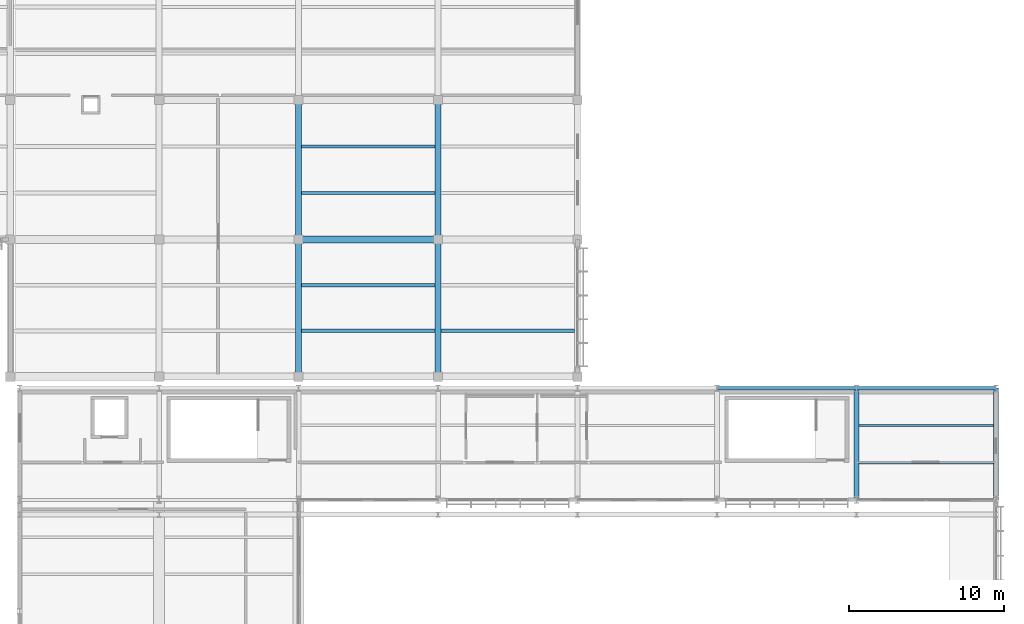
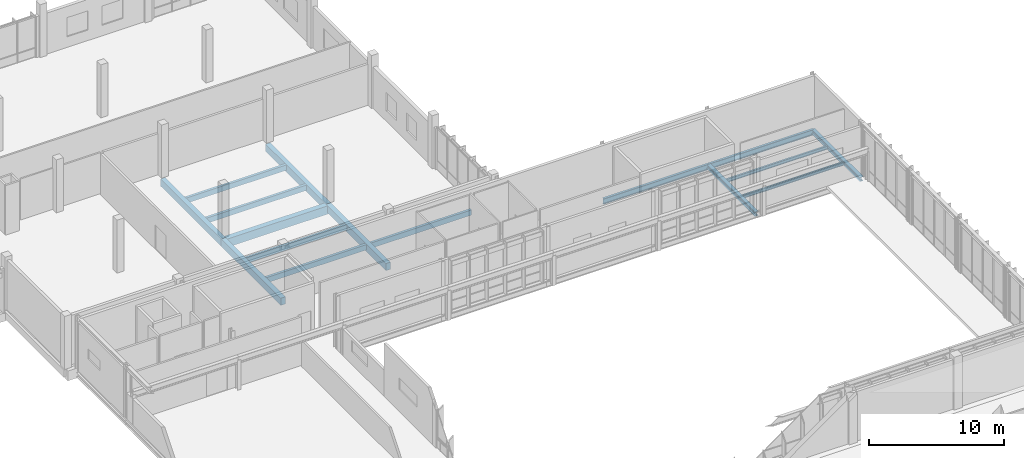
# One storey, part 114 of 177: 16 beams.
"""IFC4 building model written with IfcOpenShell, lengths in metres."""

from ifc_helpers import new_model, si_unit, direction, frame, origin, origin_2d, place, context, subcontext, project, spatial, rectangle, i_section, extrude, material, material_profile, profile_set, type_object, element, save


model = new_model("IFC4")

# Units and contexts
model_context = context("Model", 3, precision=1e-05, world=origin(), true_north=direction((0.0, 1.0)))
body_context = subcontext(model_context, "Body", "Model", "MODEL_VIEW")
ifc_project = project(units=[si_unit("LENGTHUNIT", "METRE"), si_unit("AREAUNIT", "SQUARE_METRE"), si_unit("VOLUMEUNIT", "CUBIC_METRE"), si_unit("PLANEANGLEUNIT", "RADIAN"), si_unit("MASSUNIT", "GRAM", prefix="KILO")], contexts=[model_context])

# Site, building, storey
site_placement = place(None, origin())
site = spatial("IfcSite", under=ifc_project, at=site_placement, CompositionType="ELEMENT")
building_placement = place(site_placement, origin())
building = spatial("IfcBuilding", under=site, at=building_placement, Name="Chiffa Square Polytechnic", CompositionType="ELEMENT")
storey_placement = place(building_placement, frame((0.0, 0.0, 4.800048828125)))
storey = spatial("IfcBuildingStorey", under=building, at=storey_placement, Name="L01", CompositionType="ELEMENT", Elevation=4.800048828125)

# Beams
ifc_material_1 = material(Name="Concrete C35/45", Category="concrete")
ifc_material_profile_1 = material_profile(ifc_material_1, rectangle(XDim=0.39990234375, YDim=0.64990234375, at=origin_2d()), Name="RC 400x650")
ifc_profile_set_1 = profile_set([ifc_material_profile_1], Name="Concrete C35/45")
beam_type_1 = type_object("IfcBeamType", Name="BM-RC-400X650", PredefinedType="BEAM", material=ifc_profile_set_1)
beam_1_placement = place(storey_placement, frame((130.199951171875, 94.949951171875, -0.60498046875), z_axis=(0.0, 1.0, 0.0), x_axis=(-1.0, 0.0, 0.0)))
element("IfcBeam", 1, at=beam_1_placement, inside=storey, type_object=beam_type_1, Name="Primary floor girder BM-V5-L01-Y-1302-0950", PredefinedType="BEAM", context=body_context, shape_type="SweptSolid", body=[
    extrude(rectangle(XDim=0.39990234375, YDim=0.64990234375, at=origin_2d()), origin(), (0.0, 0.0, 1.0), 8.85009765625),
])
beam_2_placement = place(storey_placement, frame((130.199951171875, 103.800048828125, -0.60498046875), z_axis=(0.0, 1.0, 0.0), x_axis=(-1.0, 0.0, 0.0)))
element("IfcBeam", 2, at=beam_2_placement, inside=storey, type_object=beam_type_1, Name="Primary floor girder BM-V5-L01-Y-1302-1038", PredefinedType="BEAM", context=body_context, shape_type="SweptSolid", body=[
    extrude(rectangle(XDim=0.39990234375, YDim=0.64990234375, at=origin_2d()), origin(), (0.0, 0.0, 1.0), 9.0),
])
beam_3_placement = place(storey_placement, frame((139.199951171875, 94.949951171875, -0.60498046875), z_axis=(0.0, 1.0, 0.0), x_axis=(-1.0, 0.0, 0.0)))
element("IfcBeam", 3, at=beam_3_placement, inside=storey, type_object=beam_type_1, Name="Primary floor girder BM-V5-L01-Y-1392-0950", PredefinedType="BEAM", context=body_context, shape_type="SweptSolid", body=[
    extrude(rectangle(XDim=0.39990234375, YDim=0.64990234375, at=origin_2d()), origin(), (0.0, 0.0, 1.0), 8.85009765625),
])
beam_4_placement = place(storey_placement, frame((139.199951171875, 103.800048828125, -0.60498046875), z_axis=(0.0, 1.0, 0.0), x_axis=(-1.0, 0.0, 0.0)))
element("IfcBeam", 4, at=beam_4_placement, inside=storey, type_object=beam_type_1, Name="Primary floor girder BM-V5-L01-Y-1392-1038", PredefinedType="BEAM", context=body_context, shape_type="SweptSolid", body=[
    extrude(rectangle(XDim=0.39990234375, YDim=0.64990234375, at=origin_2d()), origin(), (0.0, 0.0, 1.0), 9.0),
])
ifc_material_profile_2 = material_profile(ifc_material_1, rectangle(XDim=0.449951171875, YDim=0.75, at=origin_2d()), Name="RC 450x750")
ifc_profile_set_2 = profile_set([ifc_material_profile_2], Name="Concrete C35/45")
beam_type_2 = type_object("IfcBeamType", Name="BM-RC-450X750", PredefinedType="BEAM", material=ifc_profile_set_2)
beam_5_placement = place(storey_placement, frame((130.199951171875, 103.800048828125, -0.655029296875), z_axis=(1.0, 0.0, 0.0), x_axis=(0.0, 1.0, 0.0)))
element("IfcBeam", 5, at=beam_5_placement, inside=storey, type_object=beam_type_2, Name="Primary floor girder BM-V5-L01-X-1302-1038", PredefinedType="BEAM", context=body_context, shape_type="SweptSolid", body=[
    extrude(rectangle(XDim=0.449951171875, YDim=0.75, at=origin_2d()), origin(), (0.0, 0.0, 1.0), 9.0),
])
ifc_material_2 = material(Name="Steel S355", Category="steel")
ifc_material_profile_3 = material_profile(ifc_material_2, i_section(OverallWidth=0.300048828125, OverallDepth=0.389892578125, WebThickness=0.010986328125, FlangeThickness=0.01904296875, FilletRadius=0.027099609375, at=origin_2d()), Name="HEA 400")
ifc_profile_set_3 = profile_set([ifc_material_profile_3], Name="Steel S355")
beam_type_3 = type_object("IfcBeamType", Name="BM-STL-HEA400", PredefinedType="BEAM", material=ifc_profile_set_3)
for number, where, z_axis, x_axis, name in (
    (6, (166.199951171875, 87.0, -0.47509765625), (0.0, 1.0, 0.0), (-1.0, 0.0, 0.0), "Primary floor girder BM-V2-L01-Y-1662-0870"),
    (7, (175.199951171875, 87.0, -0.47509765625), (0.0, 1.0, 0.0), (-1.0, 0.0, 0.0), "Primary floor girder BM-V2-L01-Y-1752-0870"),
):
    element("IfcBeam", number, at=place(storey_placement, frame(where, z_axis=z_axis, x_axis=x_axis)), inside=storey, type_object=beam_type_3, Name=name, PredefinedType="BEAM", context=body_context, shape_type="SweptSolid", body=[
        extrude(i_section(OverallWidth=0.300048828125, OverallDepth=0.389892578125, WebThickness=0.010986328125, FlangeThickness=0.01904296875, FilletRadius=0.027099609375, at=origin_2d()), origin(), (0.0, 0.0, 1.0), 7.199951171875),
    ])
ifc_material_profile_4 = material_profile(ifc_material_2, i_section(OverallWidth=0.199951171875, OverallDepth=0.5, WebThickness=0.01025390625, FlangeThickness=0.01611328125, FilletRadius=0.02099609375, at=origin_2d()), Name="IPE 500")
ifc_profile_set_4 = profile_set([ifc_material_profile_4], Name="Steel S355")
beam_type_4 = type_object("IfcBeamType", Name="BM-STL-IPE500", PredefinedType="BEAM", material=ifc_profile_set_4)
for number, where, z_axis, x_axis, name in (
    (8, (157.199951171875, 94.199951171875, -0.530029296875), (1.0, 0.0, 0.0), (0.0, 1.0, 0.0), "Primary floor girder BM-V2-L01-X-1572-0942"),
    (9, (166.199951171875, 94.199951171875, -0.530029296875), (1.0, 0.0, 0.0), (0.0, 1.0, 0.0), "Primary floor girder BM-V2-L01-X-1662-0942"),
):
    element("IfcBeam", number, at=place(storey_placement, frame(where, z_axis=z_axis, x_axis=x_axis)), inside=storey, type_object=beam_type_4, Name=name, PredefinedType="BEAM", context=body_context, shape_type="SweptSolid", body=[
        extrude(i_section(OverallWidth=0.199951171875, OverallDepth=0.5, WebThickness=0.01025390625, FlangeThickness=0.01611328125, FilletRadius=0.02099609375, at=origin_2d()), origin(), (0.0, 0.0, 1.0), 9.0),
    ])
ifc_material_3 = material(Name="Glulam GL28h", Category="wood")
ifc_material_profile_5 = material_profile(ifc_material_3, rectangle(XDim=0.219970703125, YDim=0.47998046875, at=origin_2d()), Name="GL28h 220x480")
ifc_profile_set_5 = profile_set([ifc_material_profile_5], Name="Glulam GL28h")
beam_type_5 = type_object("IfcBeamType", Name="JST-GL-220X480", PredefinedType="JOIST", material=ifc_profile_set_5)
for number, where, z_axis, x_axis, name in (
    (10, (130.39794921875, 97.89990234375, -0.52001953125), (1.0, 0.0, 0.0), (0.0, 1.0, 0.0), "Secondary floor joist JST-V5-L01-1302-0979"),
    (11, (130.39794921875, 100.85009765625, -0.52001953125), (1.0, 0.0, 0.0), (0.0, 1.0, 0.0), "Secondary floor joist JST-V5-L01-1302-1008"),
    (12, (130.39794921875, 106.800048828125, -0.52001953125), (1.0, 0.0, 0.0), (0.0, 1.0, 0.0), "Secondary floor joist JST-V5-L01-1302-1068"),
    (13, (130.39794921875, 109.800048828125, -0.52001953125), (1.0, 0.0, 0.0), (0.0, 1.0, 0.0), "Secondary floor joist JST-V5-L01-1302-1098"),
    (14, (139.39794921875, 97.89990234375, -0.52001953125), (1.0, 0.0, 0.0), (0.0, 1.0, 0.0), "Secondary floor joist JST-V5-L01-1392-0979"),
):
    element("IfcBeam", number, at=place(storey_placement, frame(where, z_axis=z_axis, x_axis=x_axis)), inside=storey, type_object=beam_type_5, Name=name, PredefinedType="JOIST", context=body_context, shape_type="SweptSolid", body=[
        extrude(rectangle(XDim=0.219970703125, YDim=0.47998046875, at=origin_2d()), origin(), (0.0, 0.0, 1.0), 8.60400390625),
    ])
ifc_material_profile_6 = material_profile(ifc_material_2, i_section(OverallWidth=0.14990234375, OverallDepth=0.300048828125, WebThickness=0.007080078125, FlangeThickness=0.0107421875, FilletRadius=0.014892578125, at=origin_2d()), Name="IPE 300")
ifc_profile_set_6 = profile_set([ifc_material_profile_6], Name="Steel S355")
beam_type_6 = type_object("IfcBeamType", Name="JST-STL-IPE300", PredefinedType="JOIST", material=ifc_profile_set_6)
for number, where, z_axis, x_axis, name in (
    (15, (166.347900390625, 89.39990234375, -0.429931640625), (1.0, 0.0, 0.0), (0.0, 1.0, 0.0), "Secondary floor joist JST-V2-L01-1662-0894"),
    (16, (166.347900390625, 91.800048828125, -0.429931640625), (1.0, 0.0, 0.0), (0.0, 1.0, 0.0), "Secondary floor joist JST-V2-L01-1662-0918"),
):
    element("IfcBeam", number, at=place(storey_placement, frame(where, z_axis=z_axis, x_axis=x_axis)), inside=storey, type_object=beam_type_6, Name=name, PredefinedType="JOIST", context=body_context, shape_type="SweptSolid", body=[
        extrude(i_section(OverallWidth=0.14990234375, OverallDepth=0.300048828125, WebThickness=0.007080078125, FlangeThickness=0.0107421875, FilletRadius=0.014892578125, at=origin_2d()), origin(), (0.0, 0.0, 1.0), 8.7041015625),
    ])

save(model, "model.ifc")
